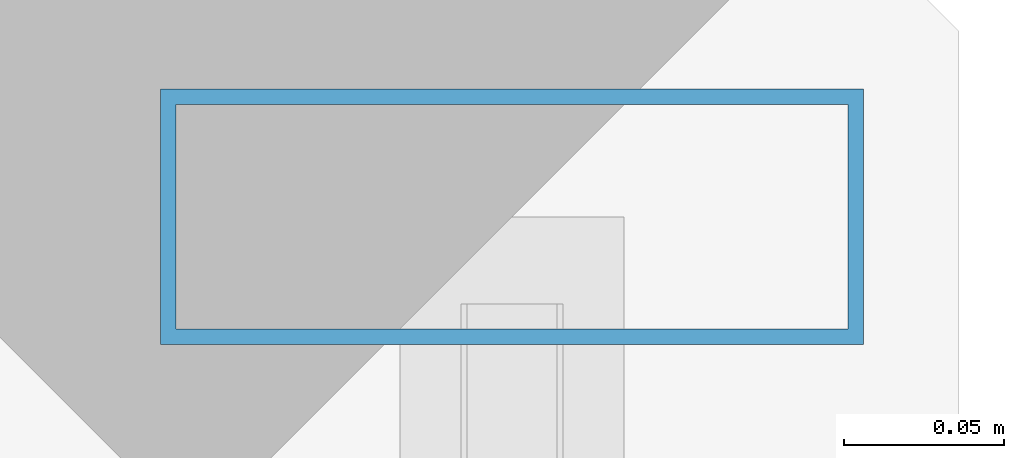
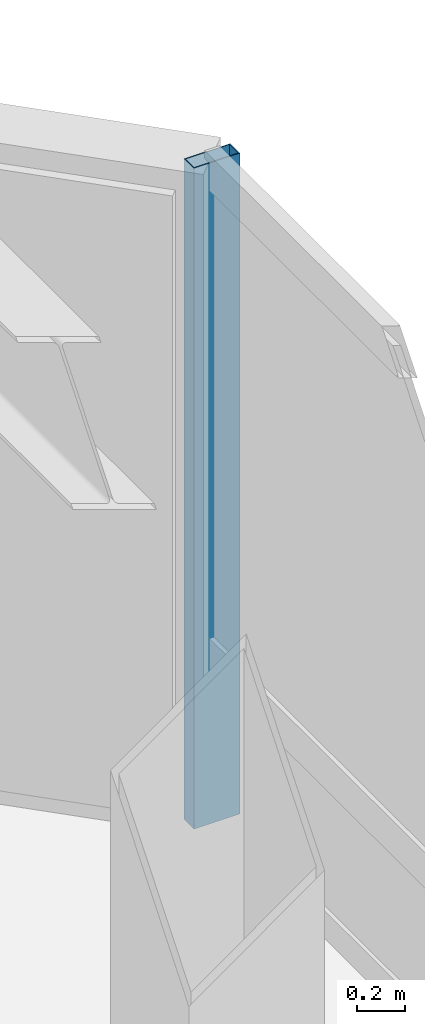
# One storey, part 10 of 17: 1 member, 1 element without a shape of its own.
"""IFC4 building model written with IfcOpenShell, lengths in metres."""

from ifc_helpers import new_model, si_unit, direction, frame, origin, origin_2d, place, context, subcontext, project, spatial, hollow_rectangle, extrude, material, layer, layer_set, material_profile, profile_set, type_object, element, aggregate, save


model = new_model("IFC4")

# Units and contexts
model_context = context("Model", 3, precision=1e-05, world=origin(), true_north=direction((0.0, 1.0)))
body_context = subcontext(model_context, "Body", "Model", "MODEL_VIEW")
ifc_project = project(units=[si_unit("LENGTHUNIT", "METRE"), si_unit("AREAUNIT", "SQUARE_METRE"), si_unit("VOLUMEUNIT", "CUBIC_METRE"), si_unit("PLANEANGLEUNIT", "RADIAN"), si_unit("MASSUNIT", "GRAM", prefix="KILO")], contexts=[model_context])

# Site, building, storey
site_placement = place(None, origin())
site = spatial("IfcSite", under=ifc_project, at=site_placement, CompositionType="ELEMENT")
building_placement = place(site_placement, origin())
building = spatial("IfcBuilding", under=site, at=building_placement, Name="Hatsunagi Terrace Concourse", CompositionType="ELEMENT")
storey_placement = place(building_placement, frame((0.0, 0.0, 253.949951171875)))
storey = spatial("IfcBuildingStorey", under=building, at=storey_placement, Name="L67", CompositionType="ELEMENT", Elevation=253.949951171875)

# Curtain wall, member
ifc_material_1 = material(Name="Anodised Aluminium Alloy 6063-T5", Category="aluminium")
ifc_layer = layer(ifc_material_1, 0.199951171875)
ifc_layer_set = layer_set([ifc_layer], Name="SkyLobbyAtrium_CW05")
curtain_wall_type = type_object("IfcCurtainWallType", Name="SkyLobbyAtrium_CW05", PredefinedType="NOTDEFINED", material=ifc_layer_set)
curtain_wall_placement = place(storey_placement, origin())
curtain_wall = element("IfcCurtainWall", 1, at=curtain_wall_placement, inside=storey, type_object=curtain_wall_type, Name="Unitised Curtain Wall CW-05 CW-L67-12", PredefinedType="NOTDEFINED")
ifc_material_2 = material(Name="Anodised Aluminium Alloy 6063-T5", Category="aluminium")
ifc_material_profile = material_profile(ifc_material_2, hollow_rectangle(XDim=0.080078125, YDim=0.219970703125, WallThickness=0.0048828125, at=origin_2d()), Name="ALU-MUL-220x80x5")
ifc_profile_set = profile_set([ifc_material_profile], Name="Anodised Aluminium Alloy 6063-T5")
member_type = type_object("IfcMemberType", Name="CurtainWallMullion_Heavy_220x80", PredefinedType="MULLION", material=ifc_profile_set)
member_placement = place(storey_placement, frame((44.860107421875, 47.94189453125, 0.0), z_axis=(0.0, 0.0, 1.0), x_axis=(0.0, -1.0, 0.0)))
member = element("IfcMember", 2, at=member_placement, type_object=member_type, Name="Curtain Wall Mullion MUL-01", PredefinedType="MULLION", context=body_context, shape_type="SweptSolid", body=[
    extrude(hollow_rectangle(XDim=0.080078125, YDim=0.219970703125, WallThickness=0.0048828125, at=origin_2d()), origin(), (0.0, 0.0, 1.0), 3.35009765625),
])
aggregate(curtain_wall, [member])

save(model, "model.ifc")
